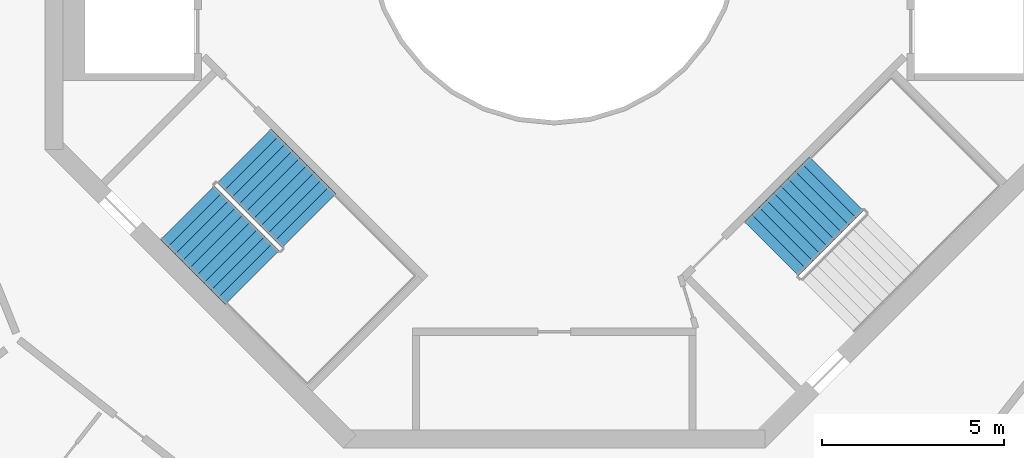
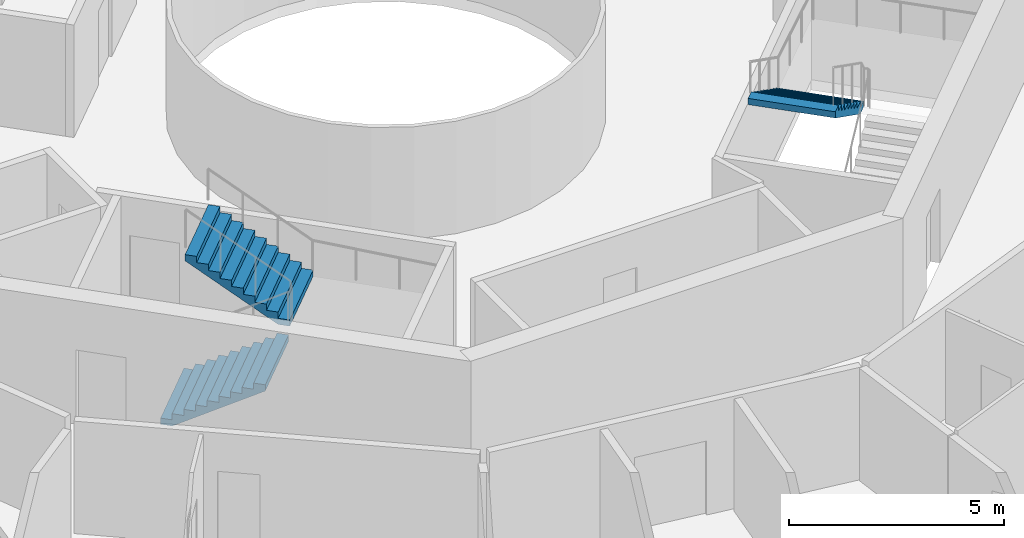
# One storey, part 21 of 23: 3 stair flights, 2 elements without a shape of their own.
"""IFC4 building model written with IfcOpenShell, lengths in metres."""

from ifc_helpers import new_model, si_unit, direction, frame, origin, place, context, subcontext, project, spatial, triangles, material, type_object, element, aggregate, save


model = new_model("IFC4")

# Units and contexts
model_context = context("Model", 3, precision=1e-05, world=origin(), true_north=direction((0.0, 1.0)))
body_context = subcontext(model_context, "Body", "Model", "MODEL_VIEW")
ifc_project = project(units=[si_unit("LENGTHUNIT", "METRE"), si_unit("AREAUNIT", "SQUARE_METRE"), si_unit("VOLUMEUNIT", "CUBIC_METRE"), si_unit("PLANEANGLEUNIT", "RADIAN"), si_unit("MASSUNIT", "GRAM", prefix="KILO")], contexts=[model_context])

# Site, building, storey
site_placement = place(None, origin())
site = spatial("IfcSite", under=ifc_project, at=site_placement, CompositionType="ELEMENT")
building_placement = place(site_placement, origin())
building = spatial("IfcBuilding", under=site, at=building_placement, Name="Verdalira Terraces Hotel", CompositionType="ELEMENT")
storey_placement = place(building_placement, frame((0.0, 0.0, 244.5)))
storey = spatial("IfcBuildingStorey", under=building, at=storey_placement, Name="L60", CompositionType="ELEMENT", Elevation=244.5)

# Stair, stair flights
ifc_material_1 = material(Name="Concrete C40", Category="concrete")
stair_type = type_object("IfcStairType", Name="Core stair 20 risers 2100 mm wide", PredefinedType="HALF_TURN_STAIR", material=ifc_material_1)
stair_1_placement = place(storey_placement, origin())
stair_1 = element("IfcStair", 1, at=stair_1_placement, inside=storey, type_object=stair_type, Name="L60 Exit stair ST2", PredefinedType="HALF_TURN_STAIR")
ifc_material_2 = material(Name="Concrete C40", Category="concrete")
stair_flight_type = type_object("IfcStairFlightType", Name="Core stair flight 20 risers 2100 mm wide", PredefinedType="STRAIGHT", material=ifc_material_2)
stair_flight_1_placement = place(storey_placement, frame((-10.076172, -7.530762, 0.0), z_axis=(0.0, 0.0, 1.0), x_axis=(0.707106781, -0.707106781, 0.0)))
stair_flight_1 = element("IfcStairFlight", 2, at=stair_flight_1_placement, type_object=stair_flight_type, Name="ST2 flight 1", NumberOfRisers=10, NumberOfTreads=9, PredefinedType="STRAIGHT", RiserHeight=0.175, TreadLength=0.28, context=body_context, shape_type="Tessellation", body=[
    triangles([(0.0, 1.050049, 0.0), (0.282715, 1.050049, 0.0), (2.52002, 1.050049, 1.398193), (0.0, -1.050049, 0.0), (0.282715, -1.050049, 0.0), (2.52002, -1.050049, 1.398193), (2.52002, 1.050049, 1.574951), (2.23999, 1.050049, 1.574951), (2.52002, -1.050049, 1.574951), (2.23999, -1.050049, 1.574951), (2.23999, 1.050049, 1.399902), (2.23999, -1.050049, 1.399902), (1.959961, 1.050049, 1.399902), (1.959961, -1.050049, 1.399902), (1.959961, 1.050049, 1.225098), (1.959961, -1.050049, 1.225098), (1.679932, 1.050049, 1.225098), (1.679932, 1.050049, 1.050049), (1.679932, -1.050049, 1.225098), (1.679932, -1.050049, 1.050049), (1.399902, 1.050049, 1.050049), (1.399902, 1.050049, 0.875), (1.399902, -1.050049, 1.050049), (1.399902, -1.050049, 0.875), (1.120117, 1.050049, 0.875), (1.120117, 1.050049, 0.699951), (1.120117, -1.050049, 0.875), (1.120117, -1.050049, 0.699951), (0.840088, 1.050049, 0.699951), (0.840088, 1.050049, 0.524902), (0.840088, -1.050049, 0.699951), (0.840088, -1.050049, 0.524902), (0.560059, 1.050049, 0.524902), (0.560059, 1.050049, 0.350098), (0.560059, -1.050049, 0.524902), (0.560059, -1.050049, 0.350098), (0.280029, 1.050049, 0.350098), (0.280029, 1.050049, 0.175049), (0.280029, -1.050049, 0.350098), (0.280029, -1.050049, 0.175049), (0.0, 1.050049, 0.175049), (0.0, -1.050049, 0.175049), (0.0, -0.984421, 0.0), (0.0, -0.984421, 0.175049), (0.0, -0.918793, 0.0), (0.0, -0.918793, 0.175049), (0.0, -0.853165, 0.0), (0.0, -0.853165, 0.175049), (0.0, -0.787537, 0.0), (0.0, -0.787537, 0.175049), (0.0, -0.721909, 0.0), (0.0, -0.721909, 0.175049), (0.0, -0.656281, 0.0), (0.0, -0.656281, 0.175049), (0.0, -0.590652, 0.0), (0.0, -0.590652, 0.175049), (0.0, -0.525024, 0.0), (0.0, -0.525024, 0.175049), (0.0, -0.459396, 0.0), (0.0, -0.459396, 0.175049), (0.0, -0.393768, 0.0), (0.0, -0.393768, 0.175049), (0.0, -0.32814, 0.0), (0.0, -0.32814, 0.175049), (0.0, -0.262512, 0.0), (0.0, -0.262512, 0.175049), (0.0, -0.196884, 0.0), (0.0, -0.196884, 0.175049), (0.0, -0.131256, 0.0), (0.0, -0.131256, 0.175049), (0.0, -0.065628, 0.0), (0.0, -0.065628, 0.175049), (0.0, 0.0, 0.0), (0.0, 0.0, 0.175049), (0.0, 0.065628, 0.0), (0.0, 0.065628, 0.175049), (0.0, 0.131256, 0.0), (0.0, 0.131256, 0.175049), (0.0, 0.196884, 0.0), (0.0, 0.196884, 0.175049), (0.0, 0.262512, 0.0), (0.0, 0.262512, 0.175049), (0.0, 0.32814, 0.0), (0.0, 0.32814, 0.175049), (0.0, 0.393768, 0.0), (0.0, 0.393768, 0.175049), (0.0, 0.459396, 0.0), (0.0, 0.459396, 0.175049), (0.0, 0.525024, 0.0), (0.0, 0.525024, 0.175049), (0.0, 0.590652, 0.0), (0.0, 0.590652, 0.175049), (0.0, 0.656281, 0.0), (0.0, 0.656281, 0.175049), (0.0, 0.721909, 0.0), (0.0, 0.721909, 0.175049), (0.0, 0.787537, 0.0), (0.0, 0.787537, 0.175049), (0.0, 0.853165, 0.0), (0.0, 0.853165, 0.175049), (0.0, 0.918793, 0.0), (0.0, 0.918793, 0.175049), (0.0, 0.984421, 0.0), (0.0, 0.984421, 0.175049), (2.52002, -0.984421, 1.574951), (2.52002, -0.918793, 1.574951), (2.52002, -0.853165, 1.574951), (2.52002, -0.787537, 1.574951), (2.52002, -0.721909, 1.574951), (2.52002, -0.656281, 1.574951), (2.52002, -0.590652, 1.574951), (2.52002, -0.525024, 1.574951), (2.52002, -0.459396, 1.574951), (2.52002, -0.393768, 1.574951), (2.52002, -0.32814, 1.574951), (2.52002, -0.262512, 1.574951), (2.52002, -0.196884, 1.574951), (2.52002, -0.131256, 1.574951), (2.52002, -0.065628, 1.574951), (2.52002, 0.0, 1.574951), (2.52002, 0.065628, 1.574951), (2.52002, 0.131256, 1.574951), (2.52002, 0.196884, 1.574951), (2.52002, 0.262512, 1.574951), (2.52002, 0.32814, 1.574951), (2.52002, 0.393768, 1.574951), (2.52002, 0.459396, 1.574951), (2.52002, 0.525024, 1.574951), (2.52002, 0.590652, 1.574951), (2.52002, 0.656281, 1.574951), (2.52002, 0.721909, 1.574951), (2.52002, 0.787537, 1.574951), (2.52002, 0.853165, 1.574951), (2.52002, 0.918793, 1.574951), (2.52002, 0.984421, 1.574951), (2.52002, -0.984421, 1.398193), (2.52002, -0.918793, 1.398193), (2.52002, -0.853165, 1.398193), (2.52002, -0.787537, 1.398193), (2.52002, -0.721909, 1.398193), (2.52002, -0.656281, 1.398193), (2.52002, -0.590652, 1.398193), (2.52002, -0.525024, 1.398193), (2.52002, -0.459396, 1.398193), (2.52002, -0.393768, 1.398193), (2.52002, -0.32814, 1.398193), (2.52002, -0.262512, 1.398193), (2.52002, -0.196884, 1.398193), (2.52002, -0.131256, 1.398193), (2.52002, -0.065628, 1.398193), (2.52002, 0.0, 1.398193), (2.52002, 0.065628, 1.398193), (2.52002, 0.131256, 1.398193), (2.52002, 0.196884, 1.398193), (2.52002, 0.262512, 1.398193), (2.52002, 0.32814, 1.398193), (2.52002, 0.393768, 1.398193), (2.52002, 0.459396, 1.398193), (2.52002, 0.525024, 1.398193), (2.52002, 0.590652, 1.398193), (2.52002, 0.656281, 1.398193), (2.52002, 0.721909, 1.398193), (2.52002, 0.787537, 1.398193), (2.52002, 0.853165, 1.398193), (2.52002, 0.918793, 1.398193), (2.52002, 0.984421, 1.398193)], [[1, 3, 2], [4, 5, 6], [3, 8, 7], [6, 9, 10], [3, 11, 8], [6, 10, 12], [3, 13, 11], [6, 12, 14], [3, 15, 13], [6, 14, 16], [15, 18, 17], [16, 19, 20], [3, 18, 15], [6, 16, 20], [18, 22, 21], [20, 23, 24], [3, 22, 18], [6, 20, 24], [22, 26, 25], [24, 27, 28], [3, 26, 22], [6, 24, 28], [26, 30, 29], [28, 31, 32], [3, 30, 26], [6, 28, 32], [1, 30, 3], [4, 6, 32], [30, 34, 33], [32, 35, 36], [34, 38, 37], [36, 39, 40], [30, 38, 34], [32, 36, 40], [1, 38, 30], [4, 32, 40], [38, 1, 41], [40, 42, 4], [4, 44, 43], [4, 42, 44], [43, 46, 45], [43, 44, 46], [45, 48, 47], [45, 46, 48], [47, 50, 49], [47, 48, 50], [49, 52, 51], [49, 50, 52], [51, 54, 53], [51, 52, 54], [53, 56, 55], [53, 54, 56], [55, 58, 57], [55, 56, 58], [57, 60, 59], [57, 58, 60], [59, 62, 61], [59, 60, 62], [61, 64, 63], [61, 62, 64], [63, 66, 65], [63, 64, 66], [65, 68, 67], [65, 66, 68], [67, 70, 69], [67, 68, 70], [69, 72, 71], [69, 70, 72], [71, 74, 73], [71, 72, 74], [73, 76, 75], [73, 74, 76], [75, 78, 77], [75, 76, 78], [77, 80, 79], [77, 78, 80], [79, 82, 81], [79, 80, 82], [81, 84, 83], [81, 82, 84], [83, 86, 85], [83, 84, 86], [85, 88, 87], [85, 86, 88], [87, 90, 89], [87, 88, 90], [89, 92, 91], [89, 90, 92], [91, 94, 93], [91, 92, 94], [93, 96, 95], [93, 94, 96], [95, 98, 97], [95, 96, 98], [97, 100, 99], [97, 98, 100], [99, 102, 101], [99, 100, 102], [101, 104, 103], [101, 102, 104], [103, 41, 1], [103, 104, 41], [42, 40, 44], [44, 40, 46], [46, 40, 48], [48, 40, 50], [50, 40, 52], [52, 40, 54], [54, 40, 56], [56, 40, 58], [58, 40, 60], [60, 40, 62], [62, 40, 64], [64, 40, 66], [66, 40, 68], [68, 40, 70], [70, 40, 72], [72, 40, 74], [74, 40, 76], [76, 40, 78], [78, 40, 80], [80, 40, 82], [82, 40, 84], [84, 40, 86], [86, 40, 88], [88, 40, 90], [90, 40, 92], [92, 40, 94], [94, 40, 96], [96, 40, 98], [98, 40, 100], [100, 40, 102], [102, 40, 104], [104, 40, 41], [41, 40, 38], [40, 37, 38], [40, 39, 37], [39, 34, 37], [39, 36, 34], [36, 33, 34], [36, 35, 33], [35, 30, 33], [35, 32, 30], [32, 29, 30], [32, 31, 29], [31, 26, 29], [31, 28, 26], [28, 25, 26], [28, 27, 25], [27, 22, 25], [27, 24, 22], [24, 21, 22], [24, 23, 21], [23, 18, 21], [23, 20, 18], [20, 17, 18], [20, 19, 17], [19, 15, 17], [19, 16, 15], [16, 13, 15], [16, 14, 13], [14, 11, 13], [14, 12, 11], [12, 8, 11], [12, 10, 8], [9, 105, 10], [105, 106, 10], [106, 107, 10], [107, 108, 10], [108, 109, 10], [109, 110, 10], [110, 111, 10], [111, 112, 10], [112, 113, 10], [113, 114, 10], [114, 115, 10], [115, 116, 10], [116, 117, 10], [117, 118, 10], [118, 119, 10], [119, 120, 10], [120, 121, 10], [121, 122, 10], [122, 123, 10], [123, 124, 10], [124, 125, 10], [125, 126, 10], [126, 127, 10], [127, 128, 10], [128, 129, 10], [129, 130, 10], [130, 131, 10], [131, 132, 10], [132, 133, 10], [133, 134, 10], [134, 135, 10], [135, 7, 10], [7, 8, 10], [9, 136, 105], [9, 6, 136], [105, 137, 106], [105, 136, 137], [106, 138, 107], [106, 137, 138], [107, 139, 108], [107, 138, 139], [108, 140, 109], [108, 139, 140], [109, 141, 110], [109, 140, 141], [110, 142, 111], [110, 141, 142], [111, 143, 112], [111, 142, 143], [112, 144, 113], [112, 143, 144], [113, 145, 114], [113, 144, 145], [114, 146, 115], [114, 145, 146], [115, 147, 116], [115, 146, 147], [116, 148, 117], [116, 147, 148], [117, 149, 118], [117, 148, 149], [118, 150, 119], [118, 149, 150], [119, 151, 120], [119, 150, 151], [120, 152, 121], [120, 151, 152], [121, 153, 122], [121, 152, 153], [122, 154, 123], [122, 153, 154], [123, 155, 124], [123, 154, 155], [124, 156, 125], [124, 155, 156], [125, 157, 126], [125, 156, 157], [126, 158, 127], [126, 157, 158], [127, 159, 128], [127, 158, 159], [128, 160, 129], [128, 159, 160], [129, 161, 130], [129, 160, 161], [130, 162, 131], [130, 161, 162], [131, 163, 132], [131, 162, 163], [132, 164, 133], [132, 163, 164], [133, 165, 134], [133, 164, 165], [134, 166, 135], [134, 165, 166], [135, 3, 7], [135, 166, 3], [6, 5, 136], [136, 5, 137], [137, 5, 138], [138, 5, 139], [139, 5, 140], [140, 5, 141], [141, 5, 142], [142, 5, 143], [143, 5, 144], [144, 5, 145], [145, 5, 146], [146, 5, 147], [147, 5, 148], [148, 5, 149], [149, 5, 150], [150, 5, 151], [151, 5, 152], [152, 5, 153], [153, 5, 154], [154, 5, 155], [155, 5, 156], [156, 5, 157], [157, 5, 158], [158, 5, 159], [159, 5, 160], [160, 5, 161], [161, 5, 162], [162, 5, 163], [163, 5, 164], [164, 5, 165], [165, 5, 166], [166, 5, 3], [3, 5, 2], [4, 43, 5], [43, 45, 5], [45, 47, 5], [47, 49, 5], [49, 51, 5], [51, 53, 5], [53, 55, 5], [55, 57, 5], [57, 59, 5], [59, 61, 5], [61, 63, 5], [63, 65, 5], [65, 67, 5], [67, 69, 5], [69, 71, 5], [71, 73, 5], [73, 75, 5], [75, 77, 5], [77, 79, 5], [79, 81, 5], [81, 83, 5], [83, 85, 5], [85, 87, 5], [87, 89, 5], [89, 91, 5], [91, 93, 5], [93, 95, 5], [95, 97, 5], [97, 99, 5], [99, 101, 5], [101, 103, 5], [103, 1, 5], [1, 2, 5]], closed=True),
])
stair_flight_2_placement = place(storey_placement, frame((-6.73877, -7.75708, 1.75), z_axis=(0.0, 0.0, 1.0), x_axis=(-0.707106781, 0.707106781, 0.0)))
stair_flight_2 = element("IfcStairFlight", 3, at=stair_flight_2_placement, type_object=stair_flight_type, Name="ST2 flight 2", NumberOfRisers=10, NumberOfTreads=9, PredefinedType="STRAIGHT", RiserHeight=0.175, TreadLength=0.28, context=body_context, shape_type="Tessellation", body=[
    triangles([(0.0, 1.050049, 0.0), (0.282715, 1.050049, 0.0), (2.52002, 1.050049, 1.398193), (0.0, -1.050049, 0.0), (0.282715, -1.050049, 0.0), (2.52002, -1.050049, 1.398193), (2.52002, 1.050049, 1.574951), (2.23999, 1.050049, 1.574951), (2.52002, -1.050049, 1.574951), (2.23999, -1.050049, 1.574951), (2.23999, 1.050049, 1.399902), (2.23999, -1.050049, 1.399902), (1.959961, 1.050049, 1.399902), (1.959961, -1.050049, 1.399902), (1.959961, 1.050049, 1.225098), (1.959961, -1.050049, 1.225098), (1.679932, 1.050049, 1.225098), (1.679932, 1.050049, 1.050049), (1.679932, -1.050049, 1.225098), (1.679932, -1.050049, 1.050049), (1.399902, 1.050049, 1.050049), (1.399902, 1.050049, 0.875), (1.399902, -1.050049, 1.050049), (1.399902, -1.050049, 0.875), (1.120117, 1.050049, 0.875), (1.120117, 1.050049, 0.699951), (1.120117, -1.050049, 0.875), (1.120117, -1.050049, 0.699951), (0.840088, 1.050049, 0.699951), (0.840088, 1.050049, 0.524902), (0.840088, -1.050049, 0.699951), (0.840088, -1.050049, 0.524902), (0.560059, 1.050049, 0.524902), (0.560059, 1.050049, 0.350098), (0.560059, -1.050049, 0.524902), (0.560059, -1.050049, 0.350098), (0.280029, 1.050049, 0.350098), (0.280029, 1.050049, 0.175049), (0.280029, -1.050049, 0.350098), (0.280029, -1.050049, 0.175049), (0.0, 1.050049, 0.175049), (0.0, -1.050049, 0.175049), (0.0, -0.984421, 0.0), (0.0, -0.984421, 0.175049), (0.0, -0.918793, 0.0), (0.0, -0.918793, 0.175049), (0.0, -0.853165, 0.0), (0.0, -0.853165, 0.175049), (0.0, -0.787537, 0.0), (0.0, -0.787537, 0.175049), (0.0, -0.721909, 0.0), (0.0, -0.721909, 0.175049), (0.0, -0.656281, 0.0), (0.0, -0.656281, 0.175049), (0.0, -0.590652, 0.0), (0.0, -0.590652, 0.175049), (0.0, -0.525024, 0.0), (0.0, -0.525024, 0.175049), (0.0, -0.459396, 0.0), (0.0, -0.459396, 0.175049), (0.0, -0.393768, 0.0), (0.0, -0.393768, 0.175049), (0.0, -0.32814, 0.0), (0.0, -0.32814, 0.175049), (0.0, -0.262512, 0.0), (0.0, -0.262512, 0.175049), (0.0, -0.196884, 0.0), (0.0, -0.196884, 0.175049), (0.0, -0.131256, 0.0), (0.0, -0.131256, 0.175049), (0.0, -0.065628, 0.0), (0.0, -0.065628, 0.175049), (0.0, 0.0, 0.0), (0.0, 0.0, 0.175049), (0.0, 0.065628, 0.0), (0.0, 0.065628, 0.175049), (0.0, 0.131256, 0.0), (0.0, 0.131256, 0.175049), (0.0, 0.196884, 0.0), (0.0, 0.196884, 0.175049), (0.0, 0.262512, 0.0), (0.0, 0.262512, 0.175049), (0.0, 0.32814, 0.0), (0.0, 0.32814, 0.175049), (0.0, 0.393768, 0.0), (0.0, 0.393768, 0.175049), (0.0, 0.459396, 0.0), (0.0, 0.459396, 0.175049), (0.0, 0.525024, 0.0), (0.0, 0.525024, 0.175049), (0.0, 0.590652, 0.0), (0.0, 0.590652, 0.175049), (0.0, 0.656281, 0.0), (0.0, 0.656281, 0.175049), (0.0, 0.721909, 0.0), (0.0, 0.721909, 0.175049), (0.0, 0.787537, 0.0), (0.0, 0.787537, 0.175049), (0.0, 0.853165, 0.0), (0.0, 0.853165, 0.175049), (0.0, 0.918793, 0.0), (0.0, 0.918793, 0.175049), (0.0, 0.984421, 0.0), (0.0, 0.984421, 0.175049), (2.52002, -0.984421, 1.574951), (2.52002, -0.918793, 1.574951), (2.52002, -0.853165, 1.574951), (2.52002, -0.787537, 1.574951), (2.52002, -0.721909, 1.574951), (2.52002, -0.656281, 1.574951), (2.52002, -0.590652, 1.574951), (2.52002, -0.525024, 1.574951), (2.52002, -0.459396, 1.574951), (2.52002, -0.393768, 1.574951), (2.52002, -0.32814, 1.574951), (2.52002, -0.262512, 1.574951), (2.52002, -0.196884, 1.574951), (2.52002, -0.131256, 1.574951), (2.52002, -0.065628, 1.574951), (2.52002, 0.0, 1.574951), (2.52002, 0.065628, 1.574951), (2.52002, 0.131256, 1.574951), (2.52002, 0.196884, 1.574951), (2.52002, 0.262512, 1.574951), (2.52002, 0.32814, 1.574951), (2.52002, 0.393768, 1.574951), (2.52002, 0.459396, 1.574951), (2.52002, 0.525024, 1.574951), (2.52002, 0.590652, 1.574951), (2.52002, 0.656281, 1.574951), (2.52002, 0.721909, 1.574951), (2.52002, 0.787537, 1.574951), (2.52002, 0.853165, 1.574951), (2.52002, 0.918793, 1.574951), (2.52002, 0.984421, 1.574951), (2.52002, -0.984421, 1.398193), (2.52002, -0.918793, 1.398193), (2.52002, -0.853165, 1.398193), (2.52002, -0.787537, 1.398193), (2.52002, -0.721909, 1.398193), (2.52002, -0.656281, 1.398193), (2.52002, -0.590652, 1.398193), (2.52002, -0.525024, 1.398193), (2.52002, -0.459396, 1.398193), (2.52002, -0.393768, 1.398193), (2.52002, -0.32814, 1.398193), (2.52002, -0.262512, 1.398193), (2.52002, -0.196884, 1.398193), (2.52002, -0.131256, 1.398193), (2.52002, -0.065628, 1.398193), (2.52002, 0.0, 1.398193), (2.52002, 0.065628, 1.398193), (2.52002, 0.131256, 1.398193), (2.52002, 0.196884, 1.398193), (2.52002, 0.262512, 1.398193), (2.52002, 0.32814, 1.398193), (2.52002, 0.393768, 1.398193), (2.52002, 0.459396, 1.398193), (2.52002, 0.525024, 1.398193), (2.52002, 0.590652, 1.398193), (2.52002, 0.656281, 1.398193), (2.52002, 0.721909, 1.398193), (2.52002, 0.787537, 1.398193), (2.52002, 0.853165, 1.398193), (2.52002, 0.918793, 1.398193), (2.52002, 0.984421, 1.398193)], [[1, 3, 2], [4, 5, 6], [3, 8, 7], [6, 9, 10], [3, 11, 8], [6, 10, 12], [3, 13, 11], [6, 12, 14], [3, 15, 13], [6, 14, 16], [15, 18, 17], [16, 19, 20], [3, 18, 15], [6, 16, 20], [18, 22, 21], [20, 23, 24], [3, 22, 18], [6, 20, 24], [22, 26, 25], [24, 27, 28], [3, 26, 22], [6, 24, 28], [26, 30, 29], [28, 31, 32], [3, 30, 26], [6, 28, 32], [1, 30, 3], [4, 6, 32], [30, 34, 33], [32, 35, 36], [34, 38, 37], [36, 39, 40], [30, 38, 34], [32, 36, 40], [1, 38, 30], [4, 32, 40], [38, 1, 41], [40, 42, 4], [4, 44, 43], [4, 42, 44], [43, 46, 45], [43, 44, 46], [45, 48, 47], [45, 46, 48], [47, 50, 49], [47, 48, 50], [49, 52, 51], [49, 50, 52], [51, 54, 53], [51, 52, 54], [53, 56, 55], [53, 54, 56], [55, 58, 57], [55, 56, 58], [57, 60, 59], [57, 58, 60], [59, 62, 61], [59, 60, 62], [61, 64, 63], [61, 62, 64], [63, 66, 65], [63, 64, 66], [65, 68, 67], [65, 66, 68], [67, 70, 69], [67, 68, 70], [69, 72, 71], [69, 70, 72], [71, 74, 73], [71, 72, 74], [73, 76, 75], [73, 74, 76], [75, 78, 77], [75, 76, 78], [77, 80, 79], [77, 78, 80], [79, 82, 81], [79, 80, 82], [81, 84, 83], [81, 82, 84], [83, 86, 85], [83, 84, 86], [85, 88, 87], [85, 86, 88], [87, 90, 89], [87, 88, 90], [89, 92, 91], [89, 90, 92], [91, 94, 93], [91, 92, 94], [93, 96, 95], [93, 94, 96], [95, 98, 97], [95, 96, 98], [97, 100, 99], [97, 98, 100], [99, 102, 101], [99, 100, 102], [101, 104, 103], [101, 102, 104], [103, 41, 1], [103, 104, 41], [42, 40, 44], [44, 40, 46], [46, 40, 48], [48, 40, 50], [50, 40, 52], [52, 40, 54], [54, 40, 56], [56, 40, 58], [58, 40, 60], [60, 40, 62], [62, 40, 64], [64, 40, 66], [66, 40, 68], [68, 40, 70], [70, 40, 72], [72, 40, 74], [74, 40, 76], [76, 40, 78], [78, 40, 80], [80, 40, 82], [82, 40, 84], [84, 40, 86], [86, 40, 88], [88, 40, 90], [90, 40, 92], [92, 40, 94], [94, 40, 96], [96, 40, 98], [98, 40, 100], [100, 40, 102], [102, 40, 104], [104, 40, 41], [41, 40, 38], [40, 37, 38], [40, 39, 37], [39, 34, 37], [39, 36, 34], [36, 33, 34], [36, 35, 33], [35, 30, 33], [35, 32, 30], [32, 29, 30], [32, 31, 29], [31, 26, 29], [31, 28, 26], [28, 25, 26], [28, 27, 25], [27, 22, 25], [27, 24, 22], [24, 21, 22], [24, 23, 21], [23, 18, 21], [23, 20, 18], [20, 17, 18], [20, 19, 17], [19, 15, 17], [19, 16, 15], [16, 13, 15], [16, 14, 13], [14, 11, 13], [14, 12, 11], [12, 8, 11], [12, 10, 8], [9, 105, 10], [105, 106, 10], [106, 107, 10], [107, 108, 10], [108, 109, 10], [109, 110, 10], [110, 111, 10], [111, 112, 10], [112, 113, 10], [113, 114, 10], [114, 115, 10], [115, 116, 10], [116, 117, 10], [117, 118, 10], [118, 119, 10], [119, 120, 10], [120, 121, 10], [121, 122, 10], [122, 123, 10], [123, 124, 10], [124, 125, 10], [125, 126, 10], [126, 127, 10], [127, 128, 10], [128, 129, 10], [129, 130, 10], [130, 131, 10], [131, 132, 10], [132, 133, 10], [133, 134, 10], [134, 135, 10], [135, 7, 10], [7, 8, 10], [9, 136, 105], [9, 6, 136], [105, 137, 106], [105, 136, 137], [106, 138, 107], [106, 137, 138], [107, 139, 108], [107, 138, 139], [108, 140, 109], [108, 139, 140], [109, 141, 110], [109, 140, 141], [110, 142, 111], [110, 141, 142], [111, 143, 112], [111, 142, 143], [112, 144, 113], [112, 143, 144], [113, 145, 114], [113, 144, 145], [114, 146, 115], [114, 145, 146], [115, 147, 116], [115, 146, 147], [116, 148, 117], [116, 147, 148], [117, 149, 118], [117, 148, 149], [118, 150, 119], [118, 149, 150], [119, 151, 120], [119, 150, 151], [120, 152, 121], [120, 151, 152], [121, 153, 122], [121, 152, 153], [122, 154, 123], [122, 153, 154], [123, 155, 124], [123, 154, 155], [124, 156, 125], [124, 155, 156], [125, 157, 126], [125, 156, 157], [126, 158, 127], [126, 157, 158], [127, 159, 128], [127, 158, 159], [128, 160, 129], [128, 159, 160], [129, 161, 130], [129, 160, 161], [130, 162, 131], [130, 161, 162], [131, 163, 132], [131, 162, 163], [132, 164, 133], [132, 163, 164], [133, 165, 134], [133, 164, 165], [134, 166, 135], [134, 165, 166], [135, 3, 7], [135, 166, 3], [6, 5, 136], [136, 5, 137], [137, 5, 138], [138, 5, 139], [139, 5, 140], [140, 5, 141], [141, 5, 142], [142, 5, 143], [143, 5, 144], [144, 5, 145], [145, 5, 146], [146, 5, 147], [147, 5, 148], [148, 5, 149], [149, 5, 150], [150, 5, 151], [151, 5, 152], [152, 5, 153], [153, 5, 154], [154, 5, 155], [155, 5, 156], [156, 5, 157], [157, 5, 158], [158, 5, 159], [159, 5, 160], [160, 5, 161], [161, 5, 162], [162, 5, 163], [163, 5, 164], [164, 5, 165], [165, 5, 166], [166, 5, 3], [3, 5, 2], [4, 43, 5], [43, 45, 5], [45, 47, 5], [47, 49, 5], [49, 51, 5], [51, 53, 5], [53, 55, 5], [55, 57, 5], [57, 59, 5], [59, 61, 5], [61, 63, 5], [63, 65, 5], [65, 67, 5], [67, 69, 5], [69, 71, 5], [71, 73, 5], [73, 75, 5], [75, 77, 5], [77, 79, 5], [79, 81, 5], [81, 83, 5], [83, 85, 5], [85, 87, 5], [87, 89, 5], [89, 91, 5], [91, 93, 5], [93, 95, 5], [95, 97, 5], [97, 99, 5], [99, 101, 5], [101, 103, 5], [103, 1, 5], [1, 2, 5]], closed=True),
])
aggregate(stair_1, [stair_flight_1, stair_flight_2])

# Stair, stair flight
stair_2_placement = place(storey_placement, origin())
stair_2 = element("IfcStair", 4, at=stair_2_placement, inside=storey, type_object=stair_type, Name="L60 Exit stair ST3", PredefinedType="HALF_TURN_STAIR")
stair_flight_3_placement = place(storey_placement, frame((7.75708, -6.73877, 1.75), z_axis=(0.0, 0.0, 1.0), x_axis=(-0.707106781, -0.707106781, 0.0)))
stair_flight_3 = element("IfcStairFlight", 5, at=stair_flight_3_placement, type_object=stair_flight_type, Name="ST3 flight 2", NumberOfRisers=10, NumberOfTreads=9, PredefinedType="STRAIGHT", RiserHeight=0.175, TreadLength=0.28, context=body_context, shape_type="Tessellation", body=[
    triangles([(0.0, 1.050049, 0.0), (0.282715, 1.050049, 0.0), (2.52002, 1.050049, 1.398193), (0.0, -1.050049, 0.0), (0.282715, -1.050049, 0.0), (2.52002, -1.050049, 1.398193), (2.52002, 1.050049, 1.574951), (2.23999, 1.050049, 1.574951), (2.52002, -1.050049, 1.574951), (2.23999, -1.050049, 1.574951), (2.23999, 1.050049, 1.399902), (2.23999, -1.050049, 1.399902), (1.959961, 1.050049, 1.399902), (1.959961, -1.050049, 1.399902), (1.959961, 1.050049, 1.225098), (1.959961, -1.050049, 1.225098), (1.679932, 1.050049, 1.225098), (1.679932, 1.050049, 1.050049), (1.679932, -1.050049, 1.225098), (1.679932, -1.050049, 1.050049), (1.399902, 1.050049, 1.050049), (1.399902, 1.050049, 0.875), (1.399902, -1.050049, 1.050049), (1.399902, -1.050049, 0.875), (1.120117, 1.050049, 0.875), (1.120117, 1.050049, 0.699951), (1.120117, -1.050049, 0.875), (1.120117, -1.050049, 0.699951), (0.840088, 1.050049, 0.699951), (0.840088, 1.050049, 0.524902), (0.840088, -1.050049, 0.699951), (0.840088, -1.050049, 0.524902), (0.560059, 1.050049, 0.524902), (0.560059, 1.050049, 0.350098), (0.560059, -1.050049, 0.524902), (0.560059, -1.050049, 0.350098), (0.280029, 1.050049, 0.350098), (0.280029, 1.050049, 0.175049), (0.280029, -1.050049, 0.350098), (0.280029, -1.050049, 0.175049), (0.0, 1.050049, 0.175049), (0.0, -1.050049, 0.175049), (0.0, -0.984421, 0.0), (0.0, -0.984421, 0.175049), (0.0, -0.918793, 0.0), (0.0, -0.918793, 0.175049), (0.0, -0.853165, 0.0), (0.0, -0.853165, 0.175049), (0.0, -0.787537, 0.0), (0.0, -0.787537, 0.175049), (0.0, -0.721909, 0.0), (0.0, -0.721909, 0.175049), (0.0, -0.656281, 0.0), (0.0, -0.656281, 0.175049), (0.0, -0.590652, 0.0), (0.0, -0.590652, 0.175049), (0.0, -0.525024, 0.0), (0.0, -0.525024, 0.175049), (0.0, -0.459396, 0.0), (0.0, -0.459396, 0.175049), (0.0, -0.393768, 0.0), (0.0, -0.393768, 0.175049), (0.0, -0.32814, 0.0), (0.0, -0.32814, 0.175049), (0.0, -0.262512, 0.0), (0.0, -0.262512, 0.175049), (0.0, -0.196884, 0.0), (0.0, -0.196884, 0.175049), (0.0, -0.131256, 0.0), (0.0, -0.131256, 0.175049), (0.0, -0.065628, 0.0), (0.0, -0.065628, 0.175049), (0.0, 0.0, 0.0), (0.0, 0.0, 0.175049), (0.0, 0.065628, 0.0), (0.0, 0.065628, 0.175049), (0.0, 0.131256, 0.0), (0.0, 0.131256, 0.175049), (0.0, 0.196884, 0.0), (0.0, 0.196884, 0.175049), (0.0, 0.262512, 0.0), (0.0, 0.262512, 0.175049), (0.0, 0.32814, 0.0), (0.0, 0.32814, 0.175049), (0.0, 0.393768, 0.0), (0.0, 0.393768, 0.175049), (0.0, 0.459396, 0.0), (0.0, 0.459396, 0.175049), (0.0, 0.525024, 0.0), (0.0, 0.525024, 0.175049), (0.0, 0.590652, 0.0), (0.0, 0.590652, 0.175049), (0.0, 0.656281, 0.0), (0.0, 0.656281, 0.175049), (0.0, 0.721909, 0.0), (0.0, 0.721909, 0.175049), (0.0, 0.787537, 0.0), (0.0, 0.787537, 0.175049), (0.0, 0.853165, 0.0), (0.0, 0.853165, 0.175049), (0.0, 0.918793, 0.0), (0.0, 0.918793, 0.175049), (0.0, 0.984421, 0.0), (0.0, 0.984421, 0.175049), (2.52002, -0.984421, 1.574951), (2.52002, -0.918793, 1.574951), (2.52002, -0.853165, 1.574951), (2.52002, -0.787537, 1.574951), (2.52002, -0.721909, 1.574951), (2.52002, -0.656281, 1.574951), (2.52002, -0.590652, 1.574951), (2.52002, -0.525024, 1.574951), (2.52002, -0.459396, 1.574951), (2.52002, -0.393768, 1.574951), (2.52002, -0.32814, 1.574951), (2.52002, -0.262512, 1.574951), (2.52002, -0.196884, 1.574951), (2.52002, -0.131256, 1.574951), (2.52002, -0.065628, 1.574951), (2.52002, 0.0, 1.574951), (2.52002, 0.065628, 1.574951), (2.52002, 0.131256, 1.574951), (2.52002, 0.196884, 1.574951), (2.52002, 0.262512, 1.574951), (2.52002, 0.32814, 1.574951), (2.52002, 0.393768, 1.574951), (2.52002, 0.459396, 1.574951), (2.52002, 0.525024, 1.574951), (2.52002, 0.590652, 1.574951), (2.52002, 0.656281, 1.574951), (2.52002, 0.721909, 1.574951), (2.52002, 0.787537, 1.574951), (2.52002, 0.853165, 1.574951), (2.52002, 0.918793, 1.574951), (2.52002, 0.984421, 1.574951), (2.52002, -0.984421, 1.398193), (2.52002, -0.918793, 1.398193), (2.52002, -0.853165, 1.398193), (2.52002, -0.787537, 1.398193), (2.52002, -0.721909, 1.398193), (2.52002, -0.656281, 1.398193), (2.52002, -0.590652, 1.398193), (2.52002, -0.525024, 1.398193), (2.52002, -0.459396, 1.398193), (2.52002, -0.393768, 1.398193), (2.52002, -0.32814, 1.398193), (2.52002, -0.262512, 1.398193), (2.52002, -0.196884, 1.398193), (2.52002, -0.131256, 1.398193), (2.52002, -0.065628, 1.398193), (2.52002, 0.0, 1.398193), (2.52002, 0.065628, 1.398193), (2.52002, 0.131256, 1.398193), (2.52002, 0.196884, 1.398193), (2.52002, 0.262512, 1.398193), (2.52002, 0.32814, 1.398193), (2.52002, 0.393768, 1.398193), (2.52002, 0.459396, 1.398193), (2.52002, 0.525024, 1.398193), (2.52002, 0.590652, 1.398193), (2.52002, 0.656281, 1.398193), (2.52002, 0.721909, 1.398193), (2.52002, 0.787537, 1.398193), (2.52002, 0.853165, 1.398193), (2.52002, 0.918793, 1.398193), (2.52002, 0.984421, 1.398193)], [[1, 3, 2], [4, 5, 6], [3, 8, 7], [6, 9, 10], [3, 11, 8], [6, 10, 12], [3, 13, 11], [6, 12, 14], [3, 15, 13], [6, 14, 16], [15, 18, 17], [16, 19, 20], [3, 18, 15], [6, 16, 20], [18, 22, 21], [20, 23, 24], [3, 22, 18], [6, 20, 24], [22, 26, 25], [24, 27, 28], [3, 26, 22], [6, 24, 28], [26, 30, 29], [28, 31, 32], [3, 30, 26], [6, 28, 32], [1, 30, 3], [4, 6, 32], [30, 34, 33], [32, 35, 36], [34, 38, 37], [36, 39, 40], [30, 38, 34], [32, 36, 40], [1, 38, 30], [4, 32, 40], [38, 1, 41], [40, 42, 4], [4, 44, 43], [4, 42, 44], [43, 46, 45], [43, 44, 46], [45, 48, 47], [45, 46, 48], [47, 50, 49], [47, 48, 50], [49, 52, 51], [49, 50, 52], [51, 54, 53], [51, 52, 54], [53, 56, 55], [53, 54, 56], [55, 58, 57], [55, 56, 58], [57, 60, 59], [57, 58, 60], [59, 62, 61], [59, 60, 62], [61, 64, 63], [61, 62, 64], [63, 66, 65], [63, 64, 66], [65, 68, 67], [65, 66, 68], [67, 70, 69], [67, 68, 70], [69, 72, 71], [69, 70, 72], [71, 74, 73], [71, 72, 74], [73, 76, 75], [73, 74, 76], [75, 78, 77], [75, 76, 78], [77, 80, 79], [77, 78, 80], [79, 82, 81], [79, 80, 82], [81, 84, 83], [81, 82, 84], [83, 86, 85], [83, 84, 86], [85, 88, 87], [85, 86, 88], [87, 90, 89], [87, 88, 90], [89, 92, 91], [89, 90, 92], [91, 94, 93], [91, 92, 94], [93, 96, 95], [93, 94, 96], [95, 98, 97], [95, 96, 98], [97, 100, 99], [97, 98, 100], [99, 102, 101], [99, 100, 102], [101, 104, 103], [101, 102, 104], [103, 41, 1], [103, 104, 41], [42, 40, 44], [44, 40, 46], [46, 40, 48], [48, 40, 50], [50, 40, 52], [52, 40, 54], [54, 40, 56], [56, 40, 58], [58, 40, 60], [60, 40, 62], [62, 40, 64], [64, 40, 66], [66, 40, 68], [68, 40, 70], [70, 40, 72], [72, 40, 74], [74, 40, 76], [76, 40, 78], [78, 40, 80], [80, 40, 82], [82, 40, 84], [84, 40, 86], [86, 40, 88], [88, 40, 90], [90, 40, 92], [92, 40, 94], [94, 40, 96], [96, 40, 98], [98, 40, 100], [100, 40, 102], [102, 40, 104], [104, 40, 41], [41, 40, 38], [40, 37, 38], [40, 39, 37], [39, 34, 37], [39, 36, 34], [36, 33, 34], [36, 35, 33], [35, 30, 33], [35, 32, 30], [32, 29, 30], [32, 31, 29], [31, 26, 29], [31, 28, 26], [28, 25, 26], [28, 27, 25], [27, 22, 25], [27, 24, 22], [24, 21, 22], [24, 23, 21], [23, 18, 21], [23, 20, 18], [20, 17, 18], [20, 19, 17], [19, 15, 17], [19, 16, 15], [16, 13, 15], [16, 14, 13], [14, 11, 13], [14, 12, 11], [12, 8, 11], [12, 10, 8], [9, 105, 10], [105, 106, 10], [106, 107, 10], [107, 108, 10], [108, 109, 10], [109, 110, 10], [110, 111, 10], [111, 112, 10], [112, 113, 10], [113, 114, 10], [114, 115, 10], [115, 116, 10], [116, 117, 10], [117, 118, 10], [118, 119, 10], [119, 120, 10], [120, 121, 10], [121, 122, 10], [122, 123, 10], [123, 124, 10], [124, 125, 10], [125, 126, 10], [126, 127, 10], [127, 128, 10], [128, 129, 10], [129, 130, 10], [130, 131, 10], [131, 132, 10], [132, 133, 10], [133, 134, 10], [134, 135, 10], [135, 7, 10], [7, 8, 10], [9, 136, 105], [9, 6, 136], [105, 137, 106], [105, 136, 137], [106, 138, 107], [106, 137, 138], [107, 139, 108], [107, 138, 139], [108, 140, 109], [108, 139, 140], [109, 141, 110], [109, 140, 141], [110, 142, 111], [110, 141, 142], [111, 143, 112], [111, 142, 143], [112, 144, 113], [112, 143, 144], [113, 145, 114], [113, 144, 145], [114, 146, 115], [114, 145, 146], [115, 147, 116], [115, 146, 147], [116, 148, 117], [116, 147, 148], [117, 149, 118], [117, 148, 149], [118, 150, 119], [118, 149, 150], [119, 151, 120], [119, 150, 151], [120, 152, 121], [120, 151, 152], [121, 153, 122], [121, 152, 153], [122, 154, 123], [122, 153, 154], [123, 155, 124], [123, 154, 155], [124, 156, 125], [124, 155, 156], [125, 157, 126], [125, 156, 157], [126, 158, 127], [126, 157, 158], [127, 159, 128], [127, 158, 159], [128, 160, 129], [128, 159, 160], [129, 161, 130], [129, 160, 161], [130, 162, 131], [130, 161, 162], [131, 163, 132], [131, 162, 163], [132, 164, 133], [132, 163, 164], [133, 165, 134], [133, 164, 165], [134, 166, 135], [134, 165, 166], [135, 3, 7], [135, 166, 3], [6, 5, 136], [136, 5, 137], [137, 5, 138], [138, 5, 139], [139, 5, 140], [140, 5, 141], [141, 5, 142], [142, 5, 143], [143, 5, 144], [144, 5, 145], [145, 5, 146], [146, 5, 147], [147, 5, 148], [148, 5, 149], [149, 5, 150], [150, 5, 151], [151, 5, 152], [152, 5, 153], [153, 5, 154], [154, 5, 155], [155, 5, 156], [156, 5, 157], [157, 5, 158], [158, 5, 159], [159, 5, 160], [160, 5, 161], [161, 5, 162], [162, 5, 163], [163, 5, 164], [164, 5, 165], [165, 5, 166], [166, 5, 3], [3, 5, 2], [4, 43, 5], [43, 45, 5], [45, 47, 5], [47, 49, 5], [49, 51, 5], [51, 53, 5], [53, 55, 5], [55, 57, 5], [57, 59, 5], [59, 61, 5], [61, 63, 5], [63, 65, 5], [65, 67, 5], [67, 69, 5], [69, 71, 5], [71, 73, 5], [73, 75, 5], [75, 77, 5], [77, 79, 5], [79, 81, 5], [81, 83, 5], [83, 85, 5], [85, 87, 5], [87, 89, 5], [89, 91, 5], [91, 93, 5], [93, 95, 5], [95, 97, 5], [97, 99, 5], [99, 101, 5], [101, 103, 5], [103, 1, 5], [1, 2, 5]], closed=True),
])
aggregate(stair_2, [stair_flight_3])

save(model, "model.ifc")
